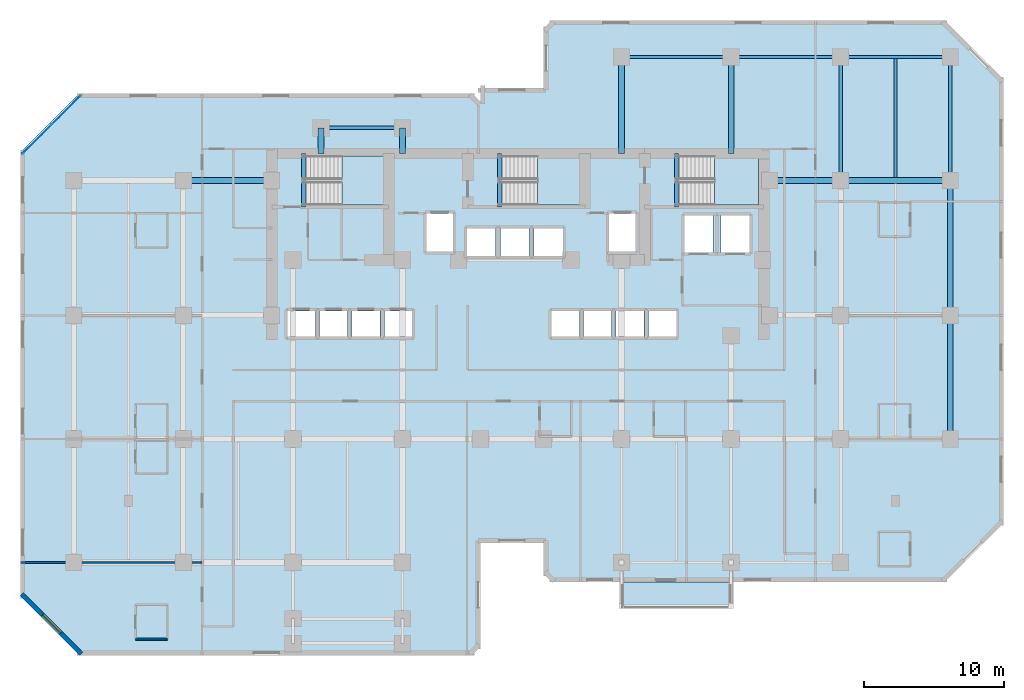
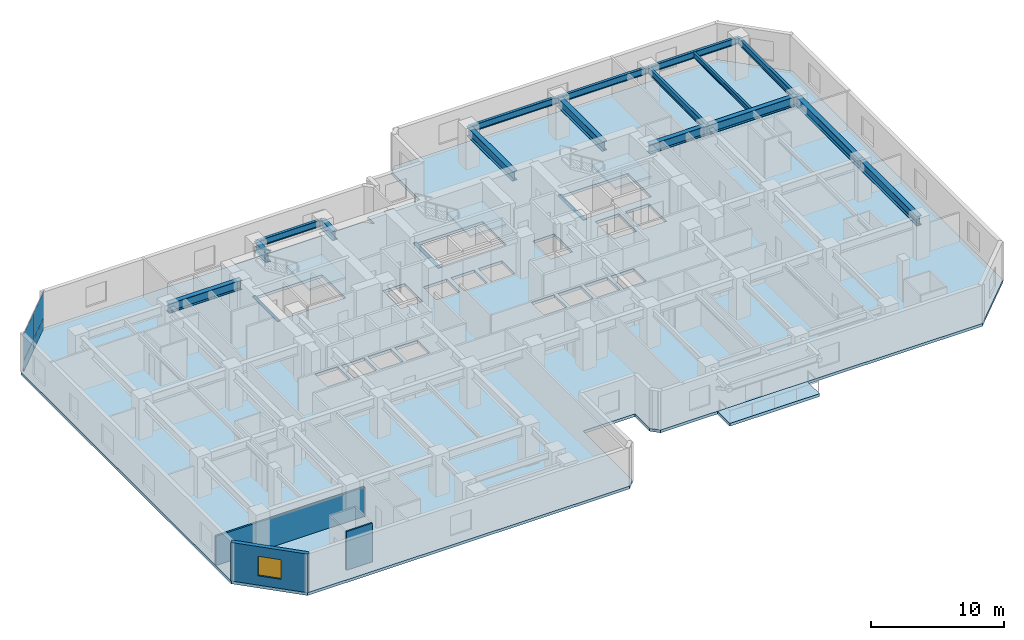
# One storey, part 4 of 11: 19 beams, 5 slabs, 4 plates, 3 walls, 1 window, 1 opening, 4 elements without a shape of their own.
"""IFC4 building model written with IfcOpenShell, lengths in metres."""

from ifc_helpers import new_model, si_unit, direction, frame, frame_2d, origin, origin_2d, place, context, subcontext, project, spatial, polyline, rectangle, i_section, outline, extrude, material, layer, layer_set, material_profile, profile_set, type_object, element, fill, aggregate, save


model = new_model("IFC4")

# Units and contexts
model_context = context("Model", 3, precision=1e-05, world=origin(), true_north=direction((0.0, 1.0)))
body_context = subcontext(model_context, "Body", "Model", "MODEL_VIEW")
ifc_project = project(units=[si_unit("LENGTHUNIT", "METRE"), si_unit("AREAUNIT", "SQUARE_METRE"), si_unit("VOLUMEUNIT", "CUBIC_METRE"), si_unit("PLANEANGLEUNIT", "RADIAN"), si_unit("MASSUNIT", "GRAM", prefix="KILO")], contexts=[model_context])

# Site, building, storey
site_placement = place(None, origin())
site = spatial("IfcSite", under=ifc_project, at=site_placement, CompositionType="ELEMENT")
building_placement = place(site_placement, origin())
building = spatial("IfcBuilding", under=site, at=building_placement, Name="Kestravale Grand Hotel", CompositionType="ELEMENT")
storey_placement = place(building_placement, frame((0.0, 0.0, 84.199951171875)))
storey = spatial("IfcBuildingStorey", under=building, at=storey_placement, Name="L20", CompositionType="ELEMENT", Elevation=84.199951171875)

# Beams
ifc_material_1 = material(Name="Steel ASTM A992 Grade 50", Category="steel")
ifc_material_profile_1 = material_profile(ifc_material_1, i_section(OverallWidth=0.19091796875, OverallDepth=0.45703125, WebThickness=0.009033203125, FlangeThickness=0.014404296875, FilletRadius=0.015380859375, at=origin_2d()))
ifc_profile_set_1 = profile_set([ifc_material_profile_1], Name="Steel ASTM A992 Grade 50")
beam_type_1 = type_object("IfcBeamType", Name="B-FLR-JST18", PredefinedType="JOIST", material=ifc_profile_set_1)
beam_1_placement = place(storey_placement, frame((66.300048828125, 38.6005859375, 3.3115234375), z_axis=(0.0, 1.0, 0.0), x_axis=(-1.0, 0.0, 0.0)))
element("IfcBeam", 1, at=beam_1_placement, inside=storey, type_object=beam_type_1, Name="L20 floor joist 10-11/F-G #1", PredefinedType="JOIST", context=body_context, shape_type="SweptSolid", body=[
    extrude(i_section(OverallWidth=0.19091796875, OverallDepth=0.45703125, WebThickness=0.009033203125, FlangeThickness=0.014404296875, FilletRadius=0.015380859375, at=origin_2d()), origin(), (0.0, 0.0, 1.0), 8.48486328125),
])
ifc_material_2 = material(Name="Concrete f'c 45 MPa", Category="concrete")
ifc_material_profile_2 = material_profile(ifc_material_2, rectangle(XDim=0.300048828125, YDim=0.39990234375, at=origin_2d()))
ifc_profile_set_2 = profile_set([ifc_material_profile_2], Name="Concrete f'c 45 MPa")
beam_type_2 = type_object("IfcBeamType", Name="B-FLR-LNT400", PredefinedType="LINTEL", material=ifc_profile_set_2)
for number, where, z_axis, x_axis, name in (
    (2, (24.159912109375, 36.52001953125, -0.199951171875), (0.0, 1.0, 0.0), (-1.0, 0.0, 0.0), "L20 ST1 flight bottom header beam"),
    (3, (38.110107421875, 36.52001953125, -0.199951171875), (0.0, 1.0, 0.0), (-1.0, 0.0, 0.0), "L20 ST2 flight bottom header beam"),
    (4, (50.7099609375, 36.52001953125, -0.199951171875), (0.0, 1.0, 0.0), (-1.0, 0.0, 0.0), "L20 ST3 flight bottom header beam"),
):
    element("IfcBeam", number, at=place(storey_placement, frame(where, z_axis=z_axis, x_axis=x_axis)), inside=storey, type_object=beam_type_2, Name=name, PredefinedType="LINTEL", context=body_context, shape_type="SweptSolid", body=[
        extrude(rectangle(XDim=0.300048828125, YDim=0.39990234375, at=origin_2d()), origin(), (0.0, 0.0, 1.0), 3.800048828125),
    ])
ifc_material_3 = material(Name="Steel ASTM A992 Grade 50", Category="steel")
ifc_material_profile_3 = material_profile(ifc_material_3, i_section(OverallWidth=0.22900390625, OverallDepth=0.612060546875, WebThickness=0.011962890625, FlangeThickness=0.01953125, FilletRadius=0.019287109375, at=origin_2d()))
ifc_profile_set_3 = profile_set([ifc_material_profile_3], Name="Steel ASTM A992 Grade 50")
beam_type_3 = type_object("IfcBeamType", Name="B-FLR-W24B", PredefinedType="SPANDREL", material=ifc_profile_set_3)
beam_2_placement = place(storey_placement, frame((46.800048828125, 47.199951171875, 3.234130859375), z_axis=(1.0, 0.0, 0.0), x_axis=(0.0, 1.0, 0.0)))
element("IfcBeam", 5, at=beam_2_placement, inside=storey, type_object=beam_type_3, Name="L20 spandrel G:8-9", PredefinedType="SPANDREL", context=body_context, shape_type="SweptSolid", body=[
    extrude(i_section(OverallWidth=0.22900390625, OverallDepth=0.612060546875, WebThickness=0.011962890625, FlangeThickness=0.01953125, FilletRadius=0.019287109375, at=origin_2d()), origin(), (0.0, 0.0, 1.0), 7.800048828125),
])
beam_3_placement = place(storey_placement, frame((54.60009765625, 47.199951171875, 3.234130859375), z_axis=(1.0, 0.0, 0.0), x_axis=(0.0, 1.0, 0.0)))
element("IfcBeam", 6, at=beam_3_placement, inside=storey, type_object=beam_type_3, Name="L20 spandrel G:9-10", PredefinedType="SPANDREL", context=body_context, shape_type="SweptSolid", body=[
    extrude(i_section(OverallWidth=0.22900390625, OverallDepth=0.612060546875, WebThickness=0.011962890625, FlangeThickness=0.01953125, FilletRadius=0.019287109375, at=origin_2d()), origin(), (0.0, 0.0, 1.0), 7.7998046875),
])
beam_4_placement = place(storey_placement, frame((62.39990234375, 47.199951171875, 3.234130859375), z_axis=(1.0, 0.0, 0.0), x_axis=(0.0, 1.0, 0.0)))
element("IfcBeam", 7, at=beam_4_placement, inside=storey, type_object=beam_type_3, Name="L20 spandrel G:10-11", PredefinedType="SPANDREL", context=body_context, shape_type="SweptSolid", body=[
    extrude(i_section(OverallWidth=0.22900390625, OverallDepth=0.612060546875, WebThickness=0.011962890625, FlangeThickness=0.01953125, FilletRadius=0.019287109375, at=origin_2d()), origin(), (0.0, 0.0, 1.0), 7.800048828125),
])
beam_5_placement = place(storey_placement, frame((25.39990234375, 42.14990234375, 3.234130859375), z_axis=(1.0, 0.0, 0.0), x_axis=(0.0, 1.0, 0.0)))
element("IfcBeam", 8, at=beam_5_placement, inside=storey, type_object=beam_type_3, Name="L20 perimeter tie spandrel FN:4-5", PredefinedType="SPANDREL", context=body_context, shape_type="SweptSolid", body=[
    extrude(i_section(OverallWidth=0.22900390625, OverallDepth=0.612060546875, WebThickness=0.011962890625, FlangeThickness=0.01953125, FilletRadius=0.019287109375, at=origin_2d()), origin(), (0.0, 0.0, 1.0), 5.800048828125),
])
for number, where, z_axis, x_axis, name in (
    (9, (62.39990234375, 38.39990234375, 3.234130859375), (0.0, 1.0, 0.0), (-1.0, 0.0, 0.0), "L20 spandrel 10:F-G"),
    (10, (70.199951171875, 38.39990234375, 3.234130859375), (0.0, 1.0, 0.0), (-1.0, 0.0, 0.0), "L20 spandrel 11:F-G"),
):
    element("IfcBeam", number, at=place(storey_placement, frame(where, z_axis=z_axis, x_axis=x_axis)), inside=storey, type_object=beam_type_3, Name=name, PredefinedType="SPANDREL", context=body_context, shape_type="SweptSolid", body=[
        extrude(i_section(OverallWidth=0.22900390625, OverallDepth=0.612060546875, WebThickness=0.011962890625, FlangeThickness=0.01953125, FilletRadius=0.019287109375, at=origin_2d()), origin(), (0.0, 0.0, 1.0), 8.800048828125),
    ])
ifc_material_4 = material(Name="Steel ASTM A992 Grade 50", Category="steel")
ifc_material_profile_4 = material_profile(ifc_material_4, i_section(OverallWidth=0.40087890625, OverallDepth=0.861083984375, WebThickness=0.019775390625, FlangeThickness=0.032470703125, FilletRadius=0.0234375, at=origin_2d()))
ifc_profile_set_4 = profile_set([ifc_material_profile_4], Name="Steel ASTM A992 Grade 50")
beam_type_4 = type_object("IfcBeamType", Name="B-GRD-W33", PredefinedType="BEAM", material=ifc_profile_set_4)
beam_6_placement = place(storey_placement, frame((15.60009765625, 38.39990234375, 3.109619140625), z_axis=(1.0, 0.0, 0.0), x_axis=(0.0, 1.0, 0.0)))
element("IfcBeam", 11, at=beam_6_placement, inside=storey, type_object=beam_type_4, Name="L20 girder F:3-CW", PredefinedType="BEAM", context=body_context, shape_type="SweptSolid", body=[
    extrude(i_section(OverallWidth=0.40087890625, OverallDepth=0.861083984375, WebThickness=0.019775390625, FlangeThickness=0.032470703125, FilletRadius=0.0234375, at=origin_2d()), origin(), (0.0, 0.0, 1.0), 6.2998046875),
])
beam_7_placement = place(storey_placement, frame((57.35009765625, 38.39990234375, 3.109619140625), z_axis=(1.0, 0.0, 0.0), x_axis=(0.0, 1.0, 0.0)))
element("IfcBeam", 12, at=beam_7_placement, inside=storey, type_object=beam_type_4, Name="L20 girder F:CE-10", PredefinedType="BEAM", context=body_context, shape_type="SweptSolid", body=[
    extrude(i_section(OverallWidth=0.40087890625, OverallDepth=0.861083984375, WebThickness=0.019775390625, FlangeThickness=0.032470703125, FilletRadius=0.0234375, at=origin_2d()), origin(), (0.0, 0.0, 1.0), 5.0498046875),
])
beam_8_placement = place(storey_placement, frame((62.39990234375, 38.39990234375, 3.109619140625), z_axis=(1.0, 0.0, 0.0), x_axis=(0.0, 1.0, 0.0)))
element("IfcBeam", 13, at=beam_8_placement, inside=storey, type_object=beam_type_4, Name="L20 girder F:10-11", PredefinedType="BEAM", context=body_context, shape_type="SweptSolid", body=[
    extrude(i_section(OverallWidth=0.40087890625, OverallDepth=0.861083984375, WebThickness=0.019775390625, FlangeThickness=0.032470703125, FilletRadius=0.0234375, at=origin_2d()), origin(), (0.0, 0.0, 1.0), 7.800048828125),
])
beam_9_placement = place(storey_placement, frame((70.199951171875, 20.0, 3.109619140625), z_axis=(0.0, 1.0, 0.0), x_axis=(-1.0, 0.0, 0.0)))
element("IfcBeam", 14, at=beam_9_placement, inside=storey, type_object=beam_type_4, Name="L20 girder 11:D-E", PredefinedType="BEAM", context=body_context, shape_type="SweptSolid", body=[
    extrude(i_section(OverallWidth=0.40087890625, OverallDepth=0.861083984375, WebThickness=0.019775390625, FlangeThickness=0.032470703125, FilletRadius=0.0234375, at=origin_2d()), origin(), (0.0, 0.0, 1.0), 8.800048828125),
])
beam_10_placement = place(storey_placement, frame((70.199951171875, 28.800048828125, 3.109619140625), z_axis=(0.0, 1.0, 0.0), x_axis=(-1.0, 0.0, 0.0)))
element("IfcBeam", 15, at=beam_10_placement, inside=storey, type_object=beam_type_4, Name="L20 girder 11:E-F", PredefinedType="BEAM", context=body_context, shape_type="SweptSolid", body=[
    extrude(i_section(OverallWidth=0.40087890625, OverallDepth=0.861083984375, WebThickness=0.019775390625, FlangeThickness=0.032470703125, FilletRadius=0.0234375, at=origin_2d()), origin(), (0.0, 0.0, 1.0), 9.599853515625),
])
for number, where, z_axis, x_axis, name in (
    (16, (25.39990234375, 40.320068359375, 3.109619140625), (0.0, 1.0, 0.0), (-1.0, 0.0, 0.0), "L20 north wing tie girder 4:CN-FN"),
    (17, (31.199951171875, 40.320068359375, 3.109619140625), (0.0, 1.0, 0.0), (-1.0, 0.0, 0.0), "L20 north wing tie girder 5:CN-FN"),
):
    element("IfcBeam", number, at=place(storey_placement, frame(where, z_axis=z_axis, x_axis=x_axis)), inside=storey, type_object=beam_type_4, Name=name, PredefinedType="BEAM", context=body_context, shape_type="SweptSolid", body=[
        extrude(i_section(OverallWidth=0.40087890625, OverallDepth=0.861083984375, WebThickness=0.019775390625, FlangeThickness=0.032470703125, FilletRadius=0.0234375, at=origin_2d()), origin(), (0.0, 0.0, 1.0), 1.829833984375),
    ])
for number, where, z_axis, x_axis, name in (
    (18, (46.800048828125, 40.320068359375, 3.109619140625), (0.0, 1.0, 0.0), (-1.0, 0.0, 0.0), "L20 north wing tie girder 8:CN-G"),
    (19, (54.60009765625, 40.320068359375, 3.109619140625), (0.0, 1.0, 0.0), (-1.0, 0.0, 0.0), "L20 north wing tie girder 9:CN-G"),
):
    element("IfcBeam", number, at=place(storey_placement, frame(where, z_axis=z_axis, x_axis=x_axis)), inside=storey, type_object=beam_type_4, Name=name, PredefinedType="BEAM", context=body_context, shape_type="SweptSolid", body=[
        extrude(i_section(OverallWidth=0.40087890625, OverallDepth=0.861083984375, WebThickness=0.019775390625, FlangeThickness=0.032470703125, FilletRadius=0.0234375, at=origin_2d()), origin(), (0.0, 0.0, 1.0), 6.8798828125),
    ])

# Curtain wall, plates
ifc_material_5 = material(Name="Thermally broken champagne-bronze aluminium and low-E glazing", Category="aluminium")
ifc_layer_1 = layer(ifc_material_5, 0.199951171875)
ifc_layer_set_1 = layer_set([ifc_layer_1], Name="CW-Z2")
curtain_wall_type = type_object("IfcCurtainWallType", Name="CW-Z2", PredefinedType="NOTDEFINED", material=ifc_layer_set_1)
curtain_wall_placement = place(storey_placement, origin())
curtain_wall = element("IfcCurtainWall", 20, at=curtain_wall_placement, inside=storey, type_object=curtain_wall_type, Name="L20 unitised curtain wall 18", PredefinedType="NOTDEFINED")
ifc_material_6 = material(Name="Insulated clear low-E double glazing IGU", Category="glass")
ifc_layer_2 = layer(ifc_material_6, 0.031982421875)
ifc_layer_set_2 = layer_set([ifc_layer_2], Name="CW-PNL-32")
plate_type = type_object("IfcPlateType", Name="CW-PNL-32", PredefinedType="CURTAIN_PANEL", material=ifc_layer_set_2)
plate_1_placement = place(storey_placement, frame((7.26416015625, 43.423583984375, 0.06494140625), z_axis=(0.0, 0.0, 1.0), x_axis=(-0.707106781187, -0.707106781187, 0.0)))
plate_1 = element("IfcPlate", 21, at=plate_1_placement, type_object=plate_type, Name="CW-Z2 panel 1.1", PredefinedType="CURTAIN_PANEL", context=body_context, shape_type="SweptSolid", body=[
    extrude(rectangle(XDim=2.87744140625, YDim=0.031982421875, at=origin_2d()), origin(), (0.0, 0.0, 1.0), 0.952392578125),
])
plate_2_placement = place(storey_placement, frame((7.26416015625, 43.423583984375, 1.08251953125), z_axis=(0.0, 0.0, 1.0), x_axis=(-0.707106781187, -0.707106781187, 0.0)))
plate_2 = element("IfcPlate", 22, at=plate_2_placement, type_object=plate_type, Name="CW-Z2 panel 1.2", PredefinedType="CURTAIN_PANEL", context=body_context, shape_type="SweptSolid", body=[
    extrude(rectangle(XDim=2.87744140625, YDim=0.031982421875, at=origin_2d()), origin(), (0.0, 0.0, 1.0), 2.392578125),
])
plate_3_placement = place(storey_placement, frame((5.17626953125, 41.3359375, 0.06494140625), z_axis=(0.0, 0.0, 1.0), x_axis=(-0.707106781187, -0.707106781187, 0.0)))
plate_3 = element("IfcPlate", 23, at=plate_3_placement, type_object=plate_type, Name="CW-Z2 panel 2.1", PredefinedType="CURTAIN_PANEL", context=body_context, shape_type="SweptSolid", body=[
    extrude(rectangle(XDim=2.87744140625, YDim=0.031982421875, at=origin_2d()), origin(), (0.0, 0.0, 1.0), 0.952392578125),
])
plate_4_placement = place(storey_placement, frame((5.17626953125, 41.3359375, 1.08251953125), z_axis=(0.0, 0.0, 1.0), x_axis=(-0.707106781187, -0.707106781187, 0.0)))
plate_4 = element("IfcPlate", 24, at=plate_4_placement, type_object=plate_type, Name="CW-Z2 panel 2.2", PredefinedType="CURTAIN_PANEL", context=body_context, shape_type="SweptSolid", body=[
    extrude(rectangle(XDim=2.87744140625, YDim=0.031982421875, at=origin_2d()), origin(), (0.0, 0.0, 1.0), 2.392578125),
])
aggregate(curtain_wall, [plate_1, plate_2, plate_3, plate_4])

# Slab
ifc_material_7 = material(Name="Concrete f'c 45 MPa", Category="concrete")
ifc_layer_3 = layer(ifc_material_7, 0.27001953125)
ifc_layer_set_3 = layer_set([ifc_layer_3], Name="ES-TERR-270")
slab_type_1 = type_object("IfcSlabType", Name="ES-TERR-270", PredefinedType="FLOOR", material=ifc_layer_set_3)
slab_1_placement = place(storey_placement, frame((0.0, 0.0, -0.27001953125)))
element("IfcSlab", 25, at=slab_1_placement, inside=storey, type_object=slab_type_1, Name="L20 spiralling planted garden terrace", PredefinedType="FLOOR", context=body_context, shape_type="SweptSolid", body=[
    extrude(outline(polyline([(46.800048828125, 7.949951171875), (54.60009765625, 7.949951171875), (54.60009765625, 9.800048828125), (46.800048828125, 9.800048828125), (46.800048828125, 7.949951171875)])), origin(), (0.0, 0.0, 1.0), 0.27001953125),
])

# Stair, slab
ifc_material_8 = material(Name="Concrete f'c 45 MPa", Category="concrete")
stair_type = type_object("IfcStairType", Name="ST-CORE-380", PredefinedType="HALF_TURN_STAIR", material=ifc_material_8)
stair_1_placement = place(storey_placement, origin())
stair_1 = element("IfcStair", 26, at=stair_1_placement, inside=storey, type_object=stair_type, Name="L20 ST-1", PredefinedType="HALF_TURN_STAIR")
ifc_material_9 = material(Name="Concrete f'c 45 MPa", Category="concrete")
ifc_layer_4 = layer(ifc_material_9, 0.199951171875)
ifc_layer_set_4 = layer_set([ifc_layer_4], Name="SLB-ST-LND200")
slab_type_2 = type_object("IfcSlabType", Name="SLB-ST-LND200", PredefinedType="LANDING", material=ifc_layer_set_4)
slab_2_placement = place(storey_placement, frame((0.0, 0.0, 1.699951171875)))
slab_2 = element("IfcSlab", 27, at=slab_2_placement, type_object=slab_type_2, Name="ST-1 landing 1", PredefinedType="LANDING", context=body_context, shape_type="SweptSolid", body=[
    extrude(outline(polyline([(26.8798828125, 36.64990234375), (30.0, 36.64990234375), (30.0, 40.159912109375), (26.8798828125, 40.159912109375), (26.8798828125, 36.64990234375)])), origin(), (0.0, 0.0, 1.0), 0.2001953125),
])
aggregate(stair_1, [slab_2])

stair_2_placement = place(storey_placement, origin())
stair_2 = element("IfcStair", 28, at=stair_2_placement, inside=storey, type_object=stair_type, Name="L20 ST-2", PredefinedType="HALF_TURN_STAIR")
slab_3_placement = place(storey_placement, frame((0.0, 0.0, 1.699951171875)))
slab_3 = element("IfcSlab", 29, at=slab_3_placement, type_object=slab_type_2, Name="ST-2 landing 1", PredefinedType="LANDING", context=body_context, shape_type="SweptSolid", body=[
    extrude(outline(polyline([(40.830078125, 36.64990234375), (43.949951171875, 36.64990234375), (43.949951171875, 40.159912109375), (40.830078125, 40.159912109375), (40.830078125, 36.64990234375)])), origin(), (0.0, 0.0, 1.0), 0.2001953125),
])
aggregate(stair_2, [slab_3])

stair_3_placement = place(storey_placement, origin())
stair_3 = element("IfcStair", 30, at=stair_3_placement, inside=storey, type_object=stair_type, Name="L20 ST-3", PredefinedType="HALF_TURN_STAIR")
slab_4_placement = place(storey_placement, frame((0.0, 0.0, 1.699951171875)))
slab_4 = element("IfcSlab", 31, at=slab_4_placement, type_object=slab_type_2, Name="ST-3 landing 1", PredefinedType="LANDING", context=body_context, shape_type="SweptSolid", body=[
    extrude(outline(polyline([(53.429931640625, 36.64990234375), (56.550048828125, 36.64990234375), (56.550048828125, 40.159912109375), (53.429931640625, 40.159912109375), (53.429931640625, 36.64990234375)])), origin(), (0.0, 0.0, 1.0), 0.2001953125),
])
aggregate(stair_3, [slab_4])

# Slab
ifc_material_10 = material(Name="Concrete f'c 45 MPa", Category="concrete")
ifc_layer_5 = layer(ifc_material_10, 0.260009765625)
ifc_layer_set_5 = layer_set([ifc_layer_5], Name="SS-FLR-260")
slab_type_3 = type_object("IfcSlabType", Name="SS-FLR-260", PredefinedType="FLOOR", material=ifc_layer_set_5)
slab_5_placement = place(storey_placement, frame((0.0, 0.0, -0.260009765625)))
element("IfcSlab", 32, at=slab_5_placement, inside=storey, type_object=slab_type_3, Name="L20 structural floor slab", PredefinedType="FLOOR", context=body_context, shape_type="SweptSolid", body=[
    extrude(outline(polyline([(8.199951171875, 4.60009765625), (36.14990234375, 4.60009765625), (36.75, 5.199951171875), (36.75, 12.60009765625), (41.25, 12.60009765625), (41.25, 10.39990234375), (41.85009765625, 9.800048828125), (69.800048828125, 9.800048828125), (74.0, 14.0), (74.0, 45.60009765625), (69.800048828125, 49.800048828125), (41.85009765625, 49.800048828125), (41.25, 49.199951171875), (41.25, 45.0), (36.75, 45.0), (36.75, 44.0), (36.14990234375, 44.60009765625), (8.199951171875, 44.60009765625), (4.0, 40.39990234375), (4.0, 8.800048828125), (8.199951171875, 4.60009765625)]), holes=[polyline([(24.080078125, 36.64990234375), (30.0, 36.64990234375), (30.0, 40.159912109375), (24.080078125, 40.159912109375), (24.080078125, 36.64990234375)]), polyline([(38.030029296875, 36.64990234375), (43.949951171875, 36.64990234375), (43.949951171875, 40.159912109375), (38.030029296875, 40.159912109375), (38.030029296875, 36.64990234375)]), polyline([(50.6298828125, 36.64990234375), (56.550048828125, 36.64990234375), (56.550048828125, 40.159912109375), (50.6298828125, 40.159912109375), (50.6298828125, 36.64990234375)]), polyline([(23.0048828125, 27.280029296875), (24.9951171875, 27.280029296875), (24.9951171875, 29.1201171875), (23.0048828125, 29.1201171875), (23.0048828125, 27.280029296875)]), polyline([(25.304931640625, 27.280029296875), (27.294921875, 27.280029296875), (27.294921875, 29.1201171875), (25.304931640625, 29.1201171875), (25.304931640625, 27.280029296875)]), polyline([(27.60498046875, 27.280029296875), (29.594970703125, 27.280029296875), (29.594970703125, 29.1201171875), (27.60498046875, 29.1201171875), (27.60498046875, 27.280029296875)]), polyline([(29.905029296875, 27.280029296875), (31.89501953125, 27.280029296875), (31.89501953125, 29.1201171875), (29.905029296875, 29.1201171875), (29.905029296875, 27.280029296875)]), polyline([(41.804931640625, 27.280029296875), (43.794921875, 27.280029296875), (43.794921875, 29.1201171875), (41.804931640625, 29.1201171875), (41.804931640625, 27.280029296875)]), polyline([(44.10498046875, 27.280029296875), (46.094970703125, 27.280029296875), (46.094970703125, 29.1201171875), (44.10498046875, 29.1201171875), (44.10498046875, 27.280029296875)]), polyline([(46.405029296875, 27.280029296875), (48.39501953125, 27.280029296875), (48.39501953125, 29.1201171875), (46.405029296875, 29.1201171875), (46.405029296875, 27.280029296875)]), polyline([(48.705078125, 27.280029296875), (50.695068359375, 27.280029296875), (50.695068359375, 29.1201171875), (48.705078125, 29.1201171875), (48.705078125, 27.280029296875)]), polyline([(35.780029296875, 33.030029296875), (37.820068359375, 33.030029296875), (37.820068359375, 34.969970703125), (35.780029296875, 34.969970703125), (35.780029296875, 33.030029296875)]), polyline([(38.179931640625, 33.030029296875), (40.219970703125, 33.030029296875), (40.219970703125, 34.969970703125), (38.179931640625, 34.969970703125), (38.179931640625, 33.030029296875)]), polyline([(40.580078125, 33.030029296875), (42.6201171875, 33.030029296875), (42.6201171875, 34.969970703125), (40.580078125, 34.969970703125), (40.580078125, 33.030029296875)]), polyline([(32.905029296875, 33.35498046875), (34.794921875, 33.35498046875), (34.794921875, 36.044921875), (32.905029296875, 36.044921875), (32.905029296875, 33.35498046875)]), polyline([(45.905029296875, 33.35498046875), (47.794921875, 33.35498046875), (47.794921875, 36.044921875), (45.905029296875, 36.044921875), (45.905029296875, 33.35498046875)]), polyline([(51.280029296875, 33.280029296875), (53.320068359375, 33.280029296875), (53.320068359375, 35.919921875), (51.280029296875, 35.919921875), (51.280029296875, 33.280029296875)]), polyline([(53.8798828125, 33.280029296875), (55.919921875, 33.280029296875), (55.919921875, 35.919921875), (53.8798828125, 35.919921875), (53.8798828125, 33.280029296875)])]), origin(), (0.0, 0.0, 1.0), 0.260009765625),
])

# Wall, opening, window
ifc_material_11 = material(Name="Precast concrete f'c 45 MPa", Category="concrete")
ifc_layer_6 = layer(ifc_material_11, 0.340087890625)
ifc_layer_set_6 = layer_set([ifc_layer_6], Name="EW-PREC-340")
wall_type_1 = type_object("IfcWallType", Name="EW-PREC-340", PredefinedType="SOLIDWALL", material=ifc_layer_set_6)
wall_1_placement = place(storey_placement, frame((4.091796875, 8.948486328125, 0.0), z_axis=(0.0, 0.0, 1.0), x_axis=(0.707106781187, -0.707106781187, 0.0)))
wall_1 = element("IfcWall", 33, at=wall_1_placement, inside=storey, type_object=wall_type_1, Name="L20 fluted precast facade wall 20", PredefinedType="SOLIDWALL", context=body_context, shape_type="SweptSolid", body=[
    extrude(rectangle(XDim=6.019775390625, YDim=0.340087890625, at=frame_2d((3.009765625, 0.0))), origin(), (0.0, 0.0, 1.0), 3.5400390625),
])
opening_placement = place(wall_1_placement, frame((2.10986328125, 0.0, 0.85009765625)))
opening = element("IfcOpeningElement", 34, at=opening_placement, cuts=wall_1, Name="Opening W-GUEST-1800", PredefinedType="OPENING", context=body_context, shape_type="SweptSolid", body=[
    extrude(rectangle(XDim=1.800048828125, YDim=1.800048828125, at=frame_2d((0.89990234375, 0.89990234375))), frame((0.0, 0.179931640625, 0.0), z_axis=(0.0, -1.0, 0.0), x_axis=(1.0, 0.0, 0.0)), (0.0, 0.0, 1.0), 0.360107421875),
])
ifc_material_12 = material(Name="Insulated low-E double glazing in aluminium frame", Category="aluminium")
window_type = type_object("IfcWindowType", Name="W-GUEST-1800", PartitioningType="DOUBLE_PANEL_VERTICAL", PredefinedType="WINDOW", material=ifc_material_12)
window_placement = place(opening_placement, origin())
window = element("IfcWindow", 35, at=window_placement, inside=storey, type_object=window_type, Name="L20 exterior window 20.1", OverallHeight=1.800048828125, OverallWidth=1.800048828125, PartitioningType="SINGLE_PANEL", PredefinedType="WINDOW", context=body_context, shape_type="SweptSolid", body=[
    extrude(rectangle(XDim=1.800048828125, YDim=1.800048828125, at=frame_2d((0.89990234375, 0.89990234375))), frame((0.0, 0.030029296875, 0.0), z_axis=(0.0, -1.0, 0.0), x_axis=(1.0, 0.0, 0.0)), (0.0, 0.0, 1.0), 0.06005859375),
])
fill(opening, window)

# Walls
ifc_material_13 = material(Name="Moisture-resistant tile-backer plumbing chase wall", Category="other")
ifc_layer_7 = layer(ifc_material_13, 0.139892578125)
ifc_layer_set_7 = layer_set([ifc_layer_7], Name="IW-PLB-140")
wall_type_2 = type_object("IfcWallType", Name="IW-PLB-140", PredefinedType="PLUMBINGWALL", material=ifc_layer_set_7)
wall_2_placement = place(storey_placement, frame((12.199951171875, 5.75, 0.0), z_axis=(0.0, 0.0, 1.0), x_axis=(1.0, 0.0, 0.0)))
element("IfcWall", 36, at=wall_2_placement, inside=storey, type_object=wall_type_2, Name="W-L20-U03-BS", PredefinedType="PLUMBINGWALL", context=body_context, shape_type="SweptSolid", body=[
    extrude(rectangle(XDim=2.25, YDim=0.139892578125, at=frame_2d((1.125, 0.0))), origin(), (0.0, 0.0, 1.0), 3.5400390625),
])
ifc_material_14 = material(Name="Double-stud STC 52 acoustic demising partition", Category="other")
ifc_layer_8 = layer(ifc_material_14, 0.14990234375)
ifc_layer_set_8 = layer_set([ifc_layer_8], Name="IW-UNIT-150")
wall_type_3 = type_object("IfcWallType", Name="IW-UNIT-150", PredefinedType="PARTITIONING", material=ifc_layer_set_8)
wall_3_placement = place(storey_placement, frame((4.02001953125, 11.199951171875, 0.0), z_axis=(0.0, 0.0, 1.0), x_axis=(1.0, 0.0, 0.0)))
element("IfcWall", 37, at=wall_3_placement, inside=storey, type_object=wall_type_3, Name="W-L20-WW-1", PredefinedType="PARTITIONING", context=body_context, shape_type="SweptSolid", body=[
    extrude(rectangle(XDim=12.919921875, YDim=0.14990234375, at=frame_2d((6.4599609375, 0.0))), origin(), (0.0, 0.0, 1.0), 2.678955078125),
])

save(model, "model.ifc")
